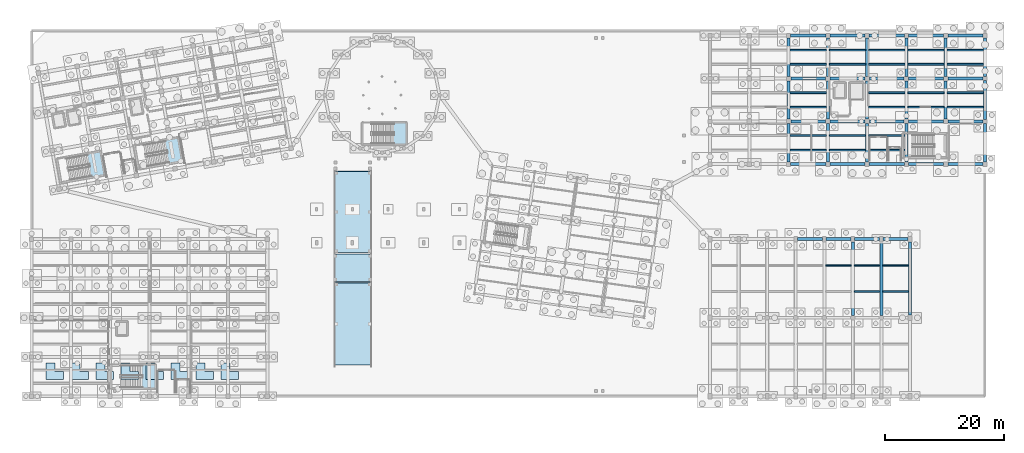
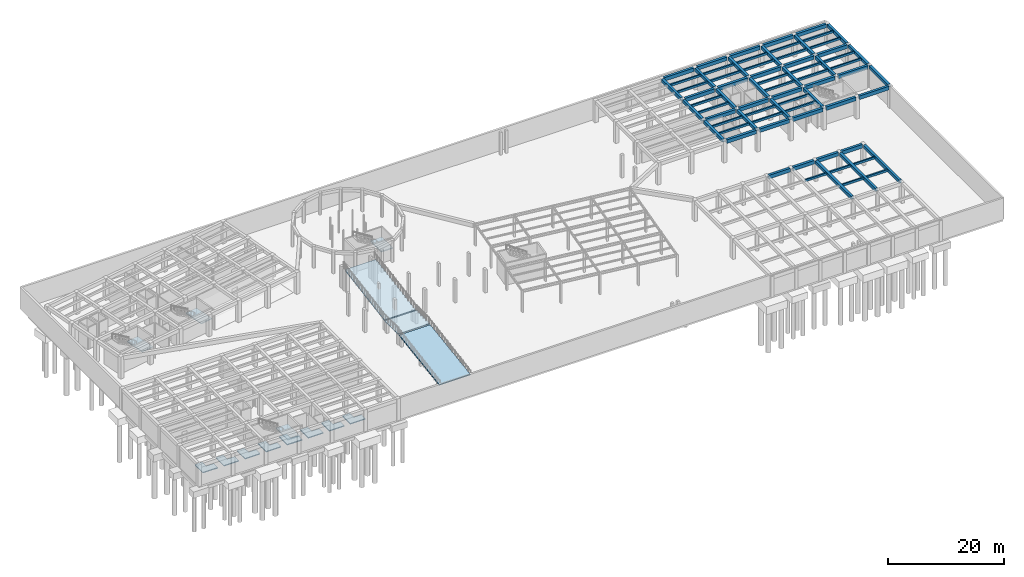
# One storey, part 20 of 34: 73 beams, 15 slabs, 4 elements without a shape of their own.
"""IFC4 building model written with IfcOpenShell, lengths in metres."""

from ifc_helpers import new_model, si_unit, direction, frame, origin, origin_2d, place, context, subcontext, project, spatial, polyline, rectangle, outline, extrude, material, layer, layer_set, material_profile, profile_set, type_object, element, aggregate, save


model = new_model("IFC4")

# Units and contexts
model_context = context("Model", 3, precision=1e-05, world=origin(), true_north=direction((0.0, 1.0)))
body_context = subcontext(model_context, "Body", "Model", "MODEL_VIEW")
ifc_project = project(units=[si_unit("LENGTHUNIT", "METRE"), si_unit("AREAUNIT", "SQUARE_METRE"), si_unit("VOLUMEUNIT", "CUBIC_METRE"), si_unit("PLANEANGLEUNIT", "RADIAN"), si_unit("MASSUNIT", "GRAM", prefix="KILO")], contexts=[model_context])

# Site, building, storey
site_placement = place(None, origin())
site = spatial("IfcSite", under=ifc_project, at=site_placement, CompositionType="ELEMENT")
building_placement = place(site_placement, origin())
building = spatial("IfcBuilding", under=site, at=building_placement, Name="Kharisveld Research Institute", CompositionType="ELEMENT")
storey_placement = place(building_placement, frame((0.0, 0.0, -4.800048828125)))
storey = spatial("IfcBuildingStorey", under=building, at=storey_placement, Name="B1", CompositionType="ELEMENT", Elevation=-4.800048828125)

# Beams
ifc_material_1 = material(Name="Concrete C40/50", Category="concrete")
ifc_material_profile_1 = material_profile(ifc_material_1, rectangle(XDim=0.5, YDim=0.64990234375, at=origin_2d()))
ifc_profile_set_1 = profile_set([ifc_material_profile_1], Name="Concrete C40/50")
beam_type_1 = type_object("IfcBeamType", Name="BM_RC_500x650", PredefinedType="BEAM", material=ifc_profile_set_1)
beam_1_placement = place(storey_placement, frame((127.800048828125, 39.550048828125, 4.26513671875), z_axis=(0.0, 1.0, 0.0), x_axis=(-1.0, 0.0, 0.0)))
element("IfcBeam", 1, at=beam_1_placement, inside=storey, type_object=beam_type_1, Name="BM:V2:B1:V2_0", PredefinedType="BEAM", context=body_context, shape_type="SweptSolid", body=[
    extrude(rectangle(XDim=0.5, YDim=0.64990234375, at=origin_2d()), origin(), (0.0, 0.0, 1.0), 6.474853515625),
])
beam_2_placement = place(storey_placement, frame((127.800048828125, 46.77490234375, 4.26513671875), z_axis=(0.0, 1.0, 0.0), x_axis=(-1.0, 0.0, 0.0)))
element("IfcBeam", 2, at=beam_2_placement, inside=storey, type_object=beam_type_1, Name="BM:V2:B1:V2_1", PredefinedType="BEAM", context=body_context, shape_type="SweptSolid", body=[
    extrude(rectangle(XDim=0.5, YDim=0.64990234375, at=origin_2d()), origin(), (0.0, 0.0, 1.0), 6.4501953125),
])
for number, where, z_axis, x_axis, name in (
    (3, (127.800048828125, 53.97509765625, 4.26513671875), (0.0, 1.0, 0.0), (-1.0, 0.0, 0.0), "BM:V2:B1:V2_2"),
    (4, (134.39990234375, 39.550048828125, 4.26513671875), (0.0, 1.0, 0.0), (-1.0, 0.0, 0.0), "BM:V2:B1:V3_0"),
):
    element("IfcBeam", number, at=place(storey_placement, frame(where, z_axis=z_axis, x_axis=x_axis)), inside=storey, type_object=beam_type_1, Name=name, PredefinedType="BEAM", context=body_context, shape_type="SweptSolid", body=[
        extrude(rectangle(XDim=0.5, YDim=0.64990234375, at=origin_2d()), origin(), (0.0, 0.0, 1.0), 6.474853515625),
    ])
beam_3_placement = place(storey_placement, frame((134.39990234375, 46.77490234375, 4.26513671875), z_axis=(0.0, 1.0, 0.0), x_axis=(-1.0, 0.0, 0.0)))
element("IfcBeam", 5, at=beam_3_placement, inside=storey, type_object=beam_type_1, Name="BM:V2:B1:V3_1", PredefinedType="BEAM", context=body_context, shape_type="SweptSolid", body=[
    extrude(rectangle(XDim=0.5, YDim=0.64990234375, at=origin_2d()), origin(), (0.0, 0.0, 1.0), 6.4501953125),
])
for number, where, z_axis, x_axis, name in (
    (6, (134.39990234375, 53.97509765625, 4.26513671875), (0.0, 1.0, 0.0), (-1.0, 0.0, 0.0), "BM:V2:B1:V3_2"),
    (7, (141.0, 39.550048828125, 4.26513671875), (0.0, 1.0, 0.0), (-1.0, 0.0, 0.0), "BM:V2:B1:V4_0"),
):
    element("IfcBeam", number, at=place(storey_placement, frame(where, z_axis=z_axis, x_axis=x_axis)), inside=storey, type_object=beam_type_1, Name=name, PredefinedType="BEAM", context=body_context, shape_type="SweptSolid", body=[
        extrude(rectangle(XDim=0.5, YDim=0.64990234375, at=origin_2d()), origin(), (0.0, 0.0, 1.0), 6.474853515625),
    ])
beam_4_placement = place(storey_placement, frame((141.0, 46.77490234375, 4.26513671875), z_axis=(0.0, 1.0, 0.0), x_axis=(-1.0, 0.0, 0.0)))
element("IfcBeam", 8, at=beam_4_placement, inside=storey, type_object=beam_type_1, Name="BM:V2:B1:V4_1", PredefinedType="BEAM", context=body_context, shape_type="SweptSolid", body=[
    extrude(rectangle(XDim=0.5, YDim=0.64990234375, at=origin_2d()), origin(), (0.0, 0.0, 1.0), 6.4501953125),
])
for number, where, z_axis, x_axis, name in (
    (9, (141.0, 53.97509765625, 4.26513671875), (0.0, 1.0, 0.0), (-1.0, 0.0, 0.0), "BM:V2:B1:V4_2"),
    (10, (147.60009765625, 39.550048828125, 4.26513671875), (0.0, 1.0, 0.0), (-1.0, 0.0, 0.0), "BM:V2:B1:V5_0"),
):
    element("IfcBeam", number, at=place(storey_placement, frame(where, z_axis=z_axis, x_axis=x_axis)), inside=storey, type_object=beam_type_1, Name=name, PredefinedType="BEAM", context=body_context, shape_type="SweptSolid", body=[
        extrude(rectangle(XDim=0.5, YDim=0.64990234375, at=origin_2d()), origin(), (0.0, 0.0, 1.0), 6.474853515625),
    ])
beam_5_placement = place(storey_placement, frame((147.60009765625, 46.77490234375, 4.26513671875), z_axis=(0.0, 1.0, 0.0), x_axis=(-1.0, 0.0, 0.0)))
element("IfcBeam", 11, at=beam_5_placement, inside=storey, type_object=beam_type_1, Name="BM:V2:B1:V5_1", PredefinedType="BEAM", context=body_context, shape_type="SweptSolid", body=[
    extrude(rectangle(XDim=0.5, YDim=0.64990234375, at=origin_2d()), origin(), (0.0, 0.0, 1.0), 6.4501953125),
])
beam_6_placement = place(storey_placement, frame((147.60009765625, 53.97509765625, 4.26513671875), z_axis=(0.0, 1.0, 0.0), x_axis=(-1.0, 0.0, 0.0)))
element("IfcBeam", 12, at=beam_6_placement, inside=storey, type_object=beam_type_1, Name="BM:V2:B1:V5_2", PredefinedType="BEAM", context=body_context, shape_type="SweptSolid", body=[
    extrude(rectangle(XDim=0.5, YDim=0.64990234375, at=origin_2d()), origin(), (0.0, 0.0, 1.0), 6.474853515625),
])
beam_7_placement = place(storey_placement, frame((154.199951171875, 46.77490234375, 4.26513671875), z_axis=(0.0, 1.0, 0.0), x_axis=(-1.0, 0.0, 0.0)))
element("IfcBeam", 13, at=beam_7_placement, inside=storey, type_object=beam_type_1, Name="BM:V2:B1:V6_1", PredefinedType="BEAM", context=body_context, shape_type="SweptSolid", body=[
    extrude(rectangle(XDim=0.5, YDim=0.64990234375, at=origin_2d()), origin(), (0.0, 0.0, 1.0), 6.4501953125),
])
beam_8_placement = place(storey_placement, frame((154.199951171875, 53.97509765625, 4.26513671875), z_axis=(0.0, 1.0, 0.0), x_axis=(-1.0, 0.0, 0.0)))
element("IfcBeam", 14, at=beam_8_placement, inside=storey, type_object=beam_type_1, Name="BM:V2:B1:V6_2", PredefinedType="BEAM", context=body_context, shape_type="SweptSolid", body=[
    extrude(rectangle(XDim=0.5, YDim=0.64990234375, at=origin_2d()), origin(), (0.0, 0.0, 1.0), 6.474853515625),
])
for number, where, z_axis, x_axis, name in (
    (15, (160.800048828125, 39.550048828125, 4.26513671875), (0.0, 1.0, 0.0), (-1.0, 0.0, 0.0), "BM:V2:B1:V7_0"),
    (16, (160.800048828125, 46.75, 4.26513671875), (0.0, 1.0, 0.0), (-1.0, 0.0, 0.0), "BM:V2:B1:V7_1"),
    (17, (160.800048828125, 53.949951171875, 4.26513671875), (0.0, 1.0, 0.0), (-1.0, 0.0, 0.0), "BM:V2:B1:V7_2"),
):
    element("IfcBeam", number, at=place(storey_placement, frame(where, z_axis=z_axis, x_axis=x_axis)), inside=storey, type_object=beam_type_1, Name=name, PredefinedType="BEAM", context=body_context, shape_type="SweptSolid", body=[
        extrude(rectangle(XDim=0.5, YDim=0.64990234375, at=origin_2d()), origin(), (0.0, 0.0, 1.0), 6.5),
    ])
for number, where, z_axis, x_axis, name in (
    (18, (138.60009765625, 13.77490234375, 4.054931640625), (0.0, 1.0, 0.0), (-1.0, 0.0, 0.0), "BM:V5:B1:V5_1"),
    (19, (143.39990234375, 13.77490234375, 4.054931640625), (0.0, 1.0, 0.0), (-1.0, 0.0, 0.0), "BM:V5:B1:V6_1"),
):
    element("IfcBeam", number, at=place(storey_placement, frame(where, z_axis=z_axis, x_axis=x_axis)), inside=storey, type_object=beam_type_1, Name=name, PredefinedType="BEAM", context=body_context, shape_type="SweptSolid", body=[
        extrude(rectangle(XDim=0.5, YDim=0.64990234375, at=origin_2d()), origin(), (0.0, 0.0, 1.0), 12.375),
    ])
beam_9_placement = place(storey_placement, frame((148.199951171875, 13.85009765625, 4.054931640625), z_axis=(0.0, 1.0, 0.0), x_axis=(-1.0, 0.0, 0.0)))
element("IfcBeam", 20, at=beam_9_placement, inside=storey, type_object=beam_type_1, Name="BM:V5:B1:V7_1", PredefinedType="BEAM", context=body_context, shape_type="SweptSolid", body=[
    extrude(rectangle(XDim=0.5, YDim=0.64990234375, at=origin_2d()), origin(), (0.0, 0.0, 1.0), 12.2998046875),
])
ifc_material_2 = material(Name="Concrete C40/50", Category="concrete")
ifc_material_profile_2 = material_profile(ifc_material_2, rectangle(XDim=0.5, YDim=0.75, at=origin_2d()))
ifc_profile_set_2 = profile_set([ifc_material_profile_2], Name="Concrete C40/50")
beam_type_2 = type_object("IfcBeamType", Name="BM_RC_500x750", PredefinedType="BEAM", material=ifc_profile_set_2)
beam_10_placement = place(storey_placement, frame((128.14990234375, 39.199951171875, 4.215087890625), z_axis=(1.0, 0.0, 0.0), x_axis=(0.0, 1.0, 0.0)))
element("IfcBeam", 21, at=beam_10_placement, inside=storey, type_object=beam_type_2, Name="BM:V2:B1:U2_0", PredefinedType="BEAM", context=body_context, shape_type="SweptSolid", body=[
    extrude(rectangle(XDim=0.5, YDim=0.75, at=origin_2d()), origin(), (0.0, 0.0, 1.0), 5.900146484375),
])
for number, where, z_axis, x_axis, name in (
    (22, (134.75, 39.199951171875, 4.215087890625), (1.0, 0.0, 0.0), (0.0, 1.0, 0.0), "BM:V2:B1:U3_0"),
    (23, (141.35009765625, 39.199951171875, 4.215087890625), (1.0, 0.0, 0.0), (0.0, 1.0, 0.0), "BM:V2:B1:U4_0"),
):
    element("IfcBeam", number, at=place(storey_placement, frame(where, z_axis=z_axis, x_axis=x_axis)), inside=storey, type_object=beam_type_2, Name=name, PredefinedType="BEAM", context=body_context, shape_type="SweptSolid", body=[
        extrude(rectangle(XDim=0.5, YDim=0.75, at=origin_2d()), origin(), (0.0, 0.0, 1.0), 5.89990234375),
    ])
beam_11_placement = place(storey_placement, frame((147.949951171875, 39.199951171875, 4.215087890625), z_axis=(1.0, 0.0, 0.0), x_axis=(0.0, 1.0, 0.0)))
element("IfcBeam", 24, at=beam_11_placement, inside=storey, type_object=beam_type_2, Name="BM:V2:B1:U5_0", PredefinedType="BEAM", context=body_context, shape_type="SweptSolid", body=[
    extrude(rectangle(XDim=0.5, YDim=0.75, at=origin_2d()), origin(), (0.0, 0.0, 1.0), 5.900146484375),
])
beam_12_placement = place(storey_placement, frame((154.550048828125, 39.199951171875, 4.215087890625), z_axis=(1.0, 0.0, 0.0), x_axis=(0.0, 1.0, 0.0)))
element("IfcBeam", 25, at=beam_12_placement, inside=storey, type_object=beam_type_2, Name="BM:V2:B1:U6_0", PredefinedType="BEAM", context=body_context, shape_type="SweptSolid", body=[
    extrude(rectangle(XDim=0.5, YDim=0.75, at=origin_2d()), origin(), (0.0, 0.0, 1.0), 5.89990234375),
])
beam_13_placement = place(storey_placement, frame((128.175048828125, 46.39990234375, 4.215087890625), z_axis=(1.0, 0.0, 0.0), x_axis=(0.0, 1.0, 0.0)))
element("IfcBeam", 26, at=beam_13_placement, inside=storey, type_object=beam_type_2, Name="BM:V2:B1:U2_1", PredefinedType="BEAM", context=body_context, shape_type="SweptSolid", body=[
    extrude(rectangle(XDim=0.5, YDim=0.75, at=origin_2d()), origin(), (0.0, 0.0, 1.0), 5.849853515625),
])
for number, where, z_axis, x_axis, name in (
    (27, (134.77490234375, 46.39990234375, 4.215087890625), (1.0, 0.0, 0.0), (0.0, 1.0, 0.0), "BM:V2:B1:U3_1"),
    (28, (141.375, 46.39990234375, 4.215087890625), (1.0, 0.0, 0.0), (0.0, 1.0, 0.0), "BM:V2:B1:U4_1"),
):
    element("IfcBeam", number, at=place(storey_placement, frame(where, z_axis=z_axis, x_axis=x_axis)), inside=storey, type_object=beam_type_2, Name=name, PredefinedType="BEAM", context=body_context, shape_type="SweptSolid", body=[
        extrude(rectangle(XDim=0.5, YDim=0.75, at=origin_2d()), origin(), (0.0, 0.0, 1.0), 5.85009765625),
    ])
beam_14_placement = place(storey_placement, frame((147.97509765625, 46.39990234375, 4.215087890625), z_axis=(1.0, 0.0, 0.0), x_axis=(0.0, 1.0, 0.0)))
element("IfcBeam", 29, at=beam_14_placement, inside=storey, type_object=beam_type_2, Name="BM:V2:B1:U5_1", PredefinedType="BEAM", context=body_context, shape_type="SweptSolid", body=[
    extrude(rectangle(XDim=0.5, YDim=0.75, at=origin_2d()), origin(), (0.0, 0.0, 1.0), 5.849853515625),
])
beam_15_placement = place(storey_placement, frame((154.574951171875, 46.39990234375, 4.215087890625), z_axis=(1.0, 0.0, 0.0), x_axis=(0.0, 1.0, 0.0)))
element("IfcBeam", 30, at=beam_15_placement, inside=storey, type_object=beam_type_2, Name="BM:V2:B1:U6_1", PredefinedType="BEAM", context=body_context, shape_type="SweptSolid", body=[
    extrude(rectangle(XDim=0.5, YDim=0.75, at=origin_2d()), origin(), (0.0, 0.0, 1.0), 5.875),
])
beam_16_placement = place(storey_placement, frame((128.175048828125, 53.60009765625, 4.215087890625), z_axis=(1.0, 0.0, 0.0), x_axis=(0.0, 1.0, 0.0)))
element("IfcBeam", 31, at=beam_16_placement, inside=storey, type_object=beam_type_2, Name="BM:V2:B1:U2_2", PredefinedType="BEAM", context=body_context, shape_type="SweptSolid", body=[
    extrude(rectangle(XDim=0.5, YDim=0.75, at=origin_2d()), origin(), (0.0, 0.0, 1.0), 5.849853515625),
])
for number, where, z_axis, x_axis, name in (
    (32, (134.77490234375, 53.60009765625, 4.215087890625), (1.0, 0.0, 0.0), (0.0, 1.0, 0.0), "BM:V2:B1:U3_2"),
    (33, (141.375, 53.60009765625, 4.215087890625), (1.0, 0.0, 0.0), (0.0, 1.0, 0.0), "BM:V2:B1:U4_2"),
):
    element("IfcBeam", number, at=place(storey_placement, frame(where, z_axis=z_axis, x_axis=x_axis)), inside=storey, type_object=beam_type_2, Name=name, PredefinedType="BEAM", context=body_context, shape_type="SweptSolid", body=[
        extrude(rectangle(XDim=0.5, YDim=0.75, at=origin_2d()), origin(), (0.0, 0.0, 1.0), 5.85009765625),
    ])
beam_17_placement = place(storey_placement, frame((147.97509765625, 53.60009765625, 4.215087890625), z_axis=(1.0, 0.0, 0.0), x_axis=(0.0, 1.0, 0.0)))
element("IfcBeam", 34, at=beam_17_placement, inside=storey, type_object=beam_type_2, Name="BM:V2:B1:U5_2", PredefinedType="BEAM", context=body_context, shape_type="SweptSolid", body=[
    extrude(rectangle(XDim=0.5, YDim=0.75, at=origin_2d()), origin(), (0.0, 0.0, 1.0), 5.849853515625),
])
beam_18_placement = place(storey_placement, frame((154.574951171875, 53.60009765625, 4.215087890625), z_axis=(1.0, 0.0, 0.0), x_axis=(0.0, 1.0, 0.0)))
element("IfcBeam", 35, at=beam_18_placement, inside=storey, type_object=beam_type_2, Name="BM:V2:B1:U6_2", PredefinedType="BEAM", context=body_context, shape_type="SweptSolid", body=[
    extrude(rectangle(XDim=0.5, YDim=0.75, at=origin_2d()), origin(), (0.0, 0.0, 1.0), 5.875),
])
beam_19_placement = place(storey_placement, frame((128.14990234375, 60.800048828125, 4.215087890625), z_axis=(1.0, 0.0, 0.0), x_axis=(0.0, 1.0, 0.0)))
element("IfcBeam", 36, at=beam_19_placement, inside=storey, type_object=beam_type_2, Name="BM:V2:B1:U2_3", PredefinedType="BEAM", context=body_context, shape_type="SweptSolid", body=[
    extrude(rectangle(XDim=0.5, YDim=0.75, at=origin_2d()), origin(), (0.0, 0.0, 1.0), 5.900146484375),
])
for number, where, z_axis, x_axis, name in (
    (37, (134.75, 60.800048828125, 4.215087890625), (1.0, 0.0, 0.0), (0.0, 1.0, 0.0), "BM:V2:B1:U3_3"),
    (38, (141.35009765625, 60.800048828125, 4.215087890625), (1.0, 0.0, 0.0), (0.0, 1.0, 0.0), "BM:V2:B1:U4_3"),
):
    element("IfcBeam", number, at=place(storey_placement, frame(where, z_axis=z_axis, x_axis=x_axis)), inside=storey, type_object=beam_type_2, Name=name, PredefinedType="BEAM", context=body_context, shape_type="SweptSolid", body=[
        extrude(rectangle(XDim=0.5, YDim=0.75, at=origin_2d()), origin(), (0.0, 0.0, 1.0), 5.89990234375),
    ])
beam_20_placement = place(storey_placement, frame((147.949951171875, 60.800048828125, 4.215087890625), z_axis=(1.0, 0.0, 0.0), x_axis=(0.0, 1.0, 0.0)))
element("IfcBeam", 39, at=beam_20_placement, inside=storey, type_object=beam_type_2, Name="BM:V2:B1:U5_3", PredefinedType="BEAM", context=body_context, shape_type="SweptSolid", body=[
    extrude(rectangle(XDim=0.5, YDim=0.75, at=origin_2d()), origin(), (0.0, 0.0, 1.0), 5.900146484375),
])
beam_21_placement = place(storey_placement, frame((154.550048828125, 60.800048828125, 4.215087890625), z_axis=(1.0, 0.0, 0.0), x_axis=(0.0, 1.0, 0.0)))
element("IfcBeam", 40, at=beam_21_placement, inside=storey, type_object=beam_type_2, Name="BM:V2:B1:U6_3", PredefinedType="BEAM", context=body_context, shape_type="SweptSolid", body=[
    extrude(rectangle(XDim=0.5, YDim=0.75, at=origin_2d()), origin(), (0.0, 0.0, 1.0), 5.89990234375),
])
for number, where, z_axis, x_axis, name in (
    (41, (129.300048828125, 26.60009765625, 4.005126953125), (1.0, 0.0, 0.0), (0.0, 1.0, 0.0), "BM:V5:B1:U3_2"),
    (42, (134.10009765625, 26.60009765625, 4.005126953125), (1.0, 0.0, 0.0), (0.0, 1.0, 0.0), "BM:V5:B1:U4_2"),
):
    element("IfcBeam", number, at=place(storey_placement, frame(where, z_axis=z_axis, x_axis=x_axis)), inside=storey, type_object=beam_type_2, Name=name, PredefinedType="BEAM", context=body_context, shape_type="SweptSolid", body=[
        extrude(rectangle(XDim=0.5, YDim=0.75, at=origin_2d()), origin(), (0.0, 0.0, 1.0), 4.199951171875),
    ])
beam_22_placement = place(storey_placement, frame((138.89990234375, 26.60009765625, 4.005126953125), z_axis=(1.0, 0.0, 0.0), x_axis=(0.0, 1.0, 0.0)))
element("IfcBeam", 43, at=beam_22_placement, inside=storey, type_object=beam_type_2, Name="BM:V5:B1:U5_2", PredefinedType="BEAM", context=body_context, shape_type="SweptSolid", body=[
    extrude(rectangle(XDim=0.5, YDim=0.75, at=origin_2d()), origin(), (0.0, 0.0, 1.0), 4.2001953125),
])
beam_23_placement = place(storey_placement, frame((143.699951171875, 26.60009765625, 4.005126953125), z_axis=(1.0, 0.0, 0.0), x_axis=(0.0, 1.0, 0.0)))
element("IfcBeam", 44, at=beam_23_placement, inside=storey, type_object=beam_type_2, Name="BM:V5:B1:U6_2", PredefinedType="BEAM", context=body_context, shape_type="SweptSolid", body=[
    extrude(rectangle(XDim=0.5, YDim=0.75, at=origin_2d()), origin(), (0.0, 0.0, 1.0), 4.199951171875),
])
ifc_material_3 = material(Name="Concrete C40/50", Category="concrete")
ifc_material_profile_3 = material_profile(ifc_material_3, rectangle(XDim=0.280029296875, YDim=0.449951171875, at=origin_2d()))
ifc_profile_set_3 = profile_set([ifc_material_profile_3], Name="Concrete C40/50")
beam_type_3 = type_object("IfcBeamType", Name="WB_RC_280x450", PredefinedType="JOIST", material=ifc_profile_set_3)
for number, where, z_axis, x_axis, name in (
    (45, (128.050048828125, 41.60009765625, 4.364990234375), (1.0, 0.0, 0.0), (0.0, 1.0, 0.0), "BM:V2:B1:J_2_0_R1"),
    (46, (128.050048828125, 44.0, 4.364990234375), (1.0, 0.0, 0.0), (0.0, 1.0, 0.0), "BM:V2:B1:J_2_0_R2"),
    (47, (128.050048828125, 48.800048828125, 4.364990234375), (1.0, 0.0, 0.0), (0.0, 1.0, 0.0), "BM:V2:B1:J_2_1_R1"),
    (48, (128.050048828125, 51.199951171875, 4.364990234375), (1.0, 0.0, 0.0), (0.0, 1.0, 0.0), "BM:V2:B1:J_2_1_R2"),
    (49, (128.050048828125, 56.0, 4.364990234375), (1.0, 0.0, 0.0), (0.0, 1.0, 0.0), "BM:V2:B1:J_2_2_R1"),
    (50, (128.050048828125, 58.39990234375, 4.364990234375), (1.0, 0.0, 0.0), (0.0, 1.0, 0.0), "BM:V2:B1:J_2_2_R2"),
):
    element("IfcBeam", number, at=place(storey_placement, frame(where, z_axis=z_axis, x_axis=x_axis)), inside=storey, type_object=beam_type_3, Name=name, PredefinedType="JOIST", context=body_context, shape_type="SweptSolid", body=[
        extrude(rectangle(XDim=0.280029296875, YDim=0.449951171875, at=origin_2d()), origin(), (0.0, 0.0, 1.0), 6.099853515625),
    ])
for number, where, z_axis, x_axis, name in (
    (51, (134.64990234375, 41.60009765625, 4.364990234375), (1.0, 0.0, 0.0), (0.0, 1.0, 0.0), "BM:V2:B1:J_3_0_R1"),
    (52, (134.64990234375, 44.0, 4.364990234375), (1.0, 0.0, 0.0), (0.0, 1.0, 0.0), "BM:V2:B1:J_3_0_R2"),
    (53, (134.64990234375, 56.0, 4.364990234375), (1.0, 0.0, 0.0), (0.0, 1.0, 0.0), "BM:V2:B1:J_3_2_R1"),
    (54, (134.64990234375, 58.39990234375, 4.364990234375), (1.0, 0.0, 0.0), (0.0, 1.0, 0.0), "BM:V2:B1:J_3_2_R2"),
    (55, (141.25, 41.60009765625, 4.364990234375), (1.0, 0.0, 0.0), (0.0, 1.0, 0.0), "BM:V2:B1:J_4_0_R1"),
    (56, (141.25, 44.0, 4.364990234375), (1.0, 0.0, 0.0), (0.0, 1.0, 0.0), "BM:V2:B1:J_4_0_R2"),
    (57, (141.25, 48.800048828125, 4.364990234375), (1.0, 0.0, 0.0), (0.0, 1.0, 0.0), "BM:V2:B1:J_4_1_R1"),
    (58, (141.25, 51.199951171875, 4.364990234375), (1.0, 0.0, 0.0), (0.0, 1.0, 0.0), "BM:V2:B1:J_4_1_R2"),
    (59, (141.25, 56.0, 4.364990234375), (1.0, 0.0, 0.0), (0.0, 1.0, 0.0), "BM:V2:B1:J_4_2_R1"),
    (60, (141.25, 58.39990234375, 4.364990234375), (1.0, 0.0, 0.0), (0.0, 1.0, 0.0), "BM:V2:B1:J_4_2_R2"),
):
    element("IfcBeam", number, at=place(storey_placement, frame(where, z_axis=z_axis, x_axis=x_axis)), inside=storey, type_object=beam_type_3, Name=name, PredefinedType="JOIST", context=body_context, shape_type="SweptSolid", body=[
        extrude(rectangle(XDim=0.280029296875, YDim=0.449951171875, at=origin_2d()), origin(), (0.0, 0.0, 1.0), 6.10009765625),
    ])
for number, where, z_axis, x_axis, name in (
    (61, (147.85009765625, 48.800048828125, 4.364990234375), (1.0, 0.0, 0.0), (0.0, 1.0, 0.0), "BM:V2:B1:J_5_1_R1"),
    (62, (147.85009765625, 51.199951171875, 4.364990234375), (1.0, 0.0, 0.0), (0.0, 1.0, 0.0), "BM:V2:B1:J_5_1_R2"),
    (63, (147.85009765625, 56.0, 4.364990234375), (1.0, 0.0, 0.0), (0.0, 1.0, 0.0), "BM:V2:B1:J_5_2_R1"),
    (64, (147.85009765625, 58.39990234375, 4.364990234375), (1.0, 0.0, 0.0), (0.0, 1.0, 0.0), "BM:V2:B1:J_5_2_R2"),
):
    element("IfcBeam", number, at=place(storey_placement, frame(where, z_axis=z_axis, x_axis=x_axis)), inside=storey, type_object=beam_type_3, Name=name, PredefinedType="JOIST", context=body_context, shape_type="SweptSolid", body=[
        extrude(rectangle(XDim=0.280029296875, YDim=0.449951171875, at=origin_2d()), origin(), (0.0, 0.0, 1.0), 6.099853515625),
    ])
for number, where, z_axis, x_axis, name in (
    (65, (154.449951171875, 48.800048828125, 4.364990234375), (1.0, 0.0, 0.0), (0.0, 1.0, 0.0), "BM:V2:B1:J_6_1_R1"),
    (66, (154.449951171875, 51.199951171875, 4.364990234375), (1.0, 0.0, 0.0), (0.0, 1.0, 0.0), "BM:V2:B1:J_6_1_R2"),
    (67, (154.449951171875, 56.0, 4.364990234375), (1.0, 0.0, 0.0), (0.0, 1.0, 0.0), "BM:V2:B1:J_6_2_R1"),
    (68, (154.449951171875, 58.39990234375, 4.364990234375), (1.0, 0.0, 0.0), (0.0, 1.0, 0.0), "BM:V2:B1:J_6_2_R2"),
):
    element("IfcBeam", number, at=place(storey_placement, frame(where, z_axis=z_axis, x_axis=x_axis)), inside=storey, type_object=beam_type_3, Name=name, PredefinedType="JOIST", context=body_context, shape_type="SweptSolid", body=[
        extrude(rectangle(XDim=0.280029296875, YDim=0.449951171875, at=origin_2d()), origin(), (0.0, 0.0, 1.0), 6.10009765625),
    ])
beam_24_placement = place(storey_placement, frame((134.050048828125, 22.199951171875, 4.155029296875), z_axis=(1.0, 0.0, 0.0), x_axis=(0.0, 1.0, 0.0)))
element("IfcBeam", 69, at=beam_24_placement, inside=storey, type_object=beam_type_3, Name="BM:V5:B1:J_4_1_R2", PredefinedType="JOIST", context=body_context, shape_type="SweptSolid", body=[
    extrude(rectangle(XDim=0.280029296875, YDim=0.449951171875, at=origin_2d()), origin(), (0.0, 0.0, 1.0), 4.300048828125),
])
for number, where, z_axis, x_axis, name in (
    (70, (138.85009765625, 17.800048828125, 4.155029296875), (1.0, 0.0, 0.0), (0.0, 1.0, 0.0), "BM:V5:B1:J_5_1_R1"),
    (71, (138.85009765625, 22.199951171875, 4.155029296875), (1.0, 0.0, 0.0), (0.0, 1.0, 0.0), "BM:V5:B1:J_5_1_R2"),
):
    element("IfcBeam", number, at=place(storey_placement, frame(where, z_axis=z_axis, x_axis=x_axis)), inside=storey, type_object=beam_type_3, Name=name, PredefinedType="JOIST", context=body_context, shape_type="SweptSolid", body=[
        extrude(rectangle(XDim=0.280029296875, YDim=0.449951171875, at=origin_2d()), origin(), (0.0, 0.0, 1.0), 4.2998046875),
    ])
for number, where, z_axis, x_axis, name in (
    (72, (143.64990234375, 17.800048828125, 4.155029296875), (1.0, 0.0, 0.0), (0.0, 1.0, 0.0), "BM:V5:B1:J_6_1_R1"),
    (73, (143.64990234375, 22.199951171875, 4.155029296875), (1.0, 0.0, 0.0), (0.0, 1.0, 0.0), "BM:V5:B1:J_6_1_R2"),
):
    element("IfcBeam", number, at=place(storey_placement, frame(where, z_axis=z_axis, x_axis=x_axis)), inside=storey, type_object=beam_type_3, Name=name, PredefinedType="JOIST", context=body_context, shape_type="SweptSolid", body=[
        extrude(rectangle(XDim=0.280029296875, YDim=0.449951171875, at=origin_2d()), origin(), (0.0, 0.0, 1.0), 4.300048828125),
    ])

# Slabs
ifc_material_4 = material(Name="Concrete C40/50", Category="concrete")
ifc_layer_1 = layer(ifc_material_4, 0.179931640625)
ifc_layer_set_1 = layer_set([ifc_layer_1], Name="SL_FLR_180")
slab_type_1 = type_object("IfcSlabType", Name="SL_FLR_180", PredefinedType="FLOOR", material=ifc_layer_set_1)
slab_1_placement = place(storey_placement, origin())
element("IfcSlab", 74, at=slab_1_placement, inside=storey, type_object=slab_type_1, Name="SLAB:B1:PLINTH_1", PredefinedType="FLOOR", context=body_context, shape_type="SweptSolid", body=[
    extrude(outline(polyline([(3.0, 3.0), (6.0, 3.0), (6.0, 4.39990234375), (4.5, 4.39990234375), (4.5, 5.800048828125), (3.0, 5.800048828125), (3.0, 3.0)])), origin(), (0.0, 0.0, 1.0), 0.179931640625),
])
slab_2_placement = place(storey_placement, origin())
element("IfcSlab", 75, at=slab_2_placement, inside=storey, type_object=slab_type_1, Name="SLAB:B1:PLINTH_2", PredefinedType="FLOOR", context=body_context, shape_type="SweptSolid", body=[
    extrude(outline(polyline([(7.199951171875, 3.0), (10.199951171875, 3.0), (10.199951171875, 4.39990234375), (8.699951171875, 4.39990234375), (8.699951171875, 5.800048828125), (7.199951171875, 5.800048828125), (7.199951171875, 3.0)])), origin(), (0.0, 0.0, 1.0), 0.179931640625),
])
slab_3_placement = place(storey_placement, origin())
element("IfcSlab", 76, at=slab_3_placement, inside=storey, type_object=slab_type_1, Name="SLAB:B1:PLINTH_3", PredefinedType="FLOOR", context=body_context, shape_type="SweptSolid", body=[
    extrude(outline(polyline([(11.39990234375, 3.0), (14.39990234375, 3.0), (14.39990234375, 4.39990234375), (12.89990234375, 4.39990234375), (12.89990234375, 5.800048828125), (11.39990234375, 5.800048828125), (11.39990234375, 3.0)])), origin(), (0.0, 0.0, 1.0), 0.179931640625),
])
slab_4_placement = place(storey_placement, origin())
element("IfcSlab", 77, at=slab_4_placement, inside=storey, type_object=slab_type_1, Name="SLAB:B1:PLINTH_4", PredefinedType="FLOOR", context=body_context, shape_type="SweptSolid", body=[
    extrude(outline(polyline([(15.60009765625, 3.0), (18.60009765625, 3.0), (18.60009765625, 4.39990234375), (17.10009765625, 4.39990234375), (17.10009765625, 5.800048828125), (15.60009765625, 5.800048828125), (15.60009765625, 3.0)])), origin(), (0.0, 0.0, 1.0), 0.179931640625),
])
slab_5_placement = place(storey_placement, origin())
element("IfcSlab", 78, at=slab_5_placement, inside=storey, type_object=slab_type_1, Name="SLAB:B1:PLINTH_5", PredefinedType="FLOOR", context=body_context, shape_type="SweptSolid", body=[
    extrude(outline(polyline([(19.800048828125, 3.0), (22.800048828125, 3.0), (22.800048828125, 4.39990234375), (21.300048828125, 4.39990234375), (21.300048828125, 5.800048828125), (19.800048828125, 5.800048828125), (19.800048828125, 3.0)])), origin(), (0.0, 0.0, 1.0), 0.179931640625),
])
slab_6_placement = place(storey_placement, origin())
element("IfcSlab", 79, at=slab_6_placement, inside=storey, type_object=slab_type_1, Name="SLAB:B1:PLINTH_6", PredefinedType="FLOOR", context=body_context, shape_type="SweptSolid", body=[
    extrude(outline(polyline([(24.0, 3.0), (27.0, 3.0), (27.0, 4.39990234375), (25.5, 4.39990234375), (25.5, 5.800048828125), (24.0, 5.800048828125), (24.0, 3.0)])), origin(), (0.0, 0.0, 1.0), 0.179931640625),
])
slab_7_placement = place(storey_placement, origin())
element("IfcSlab", 80, at=slab_7_placement, inside=storey, type_object=slab_type_1, Name="SLAB:B1:PLINTH_7", PredefinedType="FLOOR", context=body_context, shape_type="SweptSolid", body=[
    extrude(outline(polyline([(28.199951171875, 3.0), (31.199951171875, 3.0), (31.199951171875, 4.39990234375), (29.699951171875, 4.39990234375), (29.699951171875, 5.800048828125), (28.199951171875, 5.800048828125), (28.199951171875, 3.0)])), origin(), (0.0, 0.0, 1.0), 0.179931640625),
])
slab_8_placement = place(storey_placement, origin())
element("IfcSlab", 81, at=slab_8_placement, inside=storey, type_object=slab_type_1, Name="SLAB:B1:PLINTH_8", PredefinedType="FLOOR", context=body_context, shape_type="SweptSolid", body=[
    extrude(outline(polyline([(32.39990234375, 3.0), (35.39990234375, 3.0), (35.39990234375, 4.39990234375), (33.89990234375, 4.39990234375), (33.89990234375, 5.800048828125), (32.39990234375, 5.800048828125), (32.39990234375, 3.0)])), origin(), (0.0, 0.0, 1.0), 0.179931640625),
])
ifc_material_5 = material(Name="Concrete C40/50", Category="concrete")
ifc_layer_2 = layer(ifc_material_5, 0.179931640625)
ifc_layer_set_2 = layer_set([ifc_layer_2], Name="SL_LND_180")
slab_type_2 = type_object("IfcSlabType", Name="SL_LND_180", PredefinedType="LANDING", material=ifc_layer_set_2)
slab_9_placement = place(storey_placement, frame((0.0, 0.0, 2.219970703125)))
element("IfcSlab", 82, at=slab_9_placement, inside=storey, type_object=slab_type_2, Name="SLAB:B1:CAR_RAMP_LANDING", PredefinedType="LANDING", context=body_context, shape_type="SweptSolid", body=[
    extrude(outline(polyline([(51.39990234375, 19.5), (57.800048828125, 19.5), (57.800048828125, 24.10009765625), (51.39990234375, 24.10009765625), (51.39990234375, 19.5)])), origin(), (0.0, 0.0, 1.0), 0.18017578125),
])

# Stair, slab
ifc_material_6 = material(Name="Concrete C40/50", Category="concrete")
stair_type_1 = type_object("IfcStairType", Name="ST_EXIT_170", PredefinedType="TWO_STRAIGHT_RUN_STAIR", material=ifc_material_6)
stair_1_placement = place(storey_placement, origin())
stair_1 = element("IfcStair", 83, at=stair_1_placement, inside=storey, type_object=stair_type_1, Name="STR:ST1:B1", PredefinedType="TWO_STRAIGHT_RUN_STAIR")
slab_10_placement = place(storey_placement, frame((0.0, 0.0, 2.219970703125)))
slab_10 = element("IfcSlab", 84, at=slab_10_placement, type_object=slab_type_2, Name="ST-01 landing 1", PredefinedType="LANDING", context=body_context, shape_type="SweptSolid", body=[
    extrude(outline(polyline([(10.54150390625, 36.936767578125), (12.909912109375, 37.3544921875), (12.194580078125, 41.411865234375), (9.826171875, 40.994140625), (10.54150390625, 36.936767578125)])), origin(), (0.0, 0.0, 1.0), 0.18017578125),
])
aggregate(stair_1, [slab_10])

stair_2_placement = place(storey_placement, origin())
stair_2 = element("IfcStair", 85, at=stair_2_placement, inside=storey, type_object=stair_type_1, Name="STR:ST2:B1", PredefinedType="TWO_STRAIGHT_RUN_STAIR")
slab_11_placement = place(storey_placement, frame((0.0, 0.0, 2.219970703125)))
slab_11 = element("IfcSlab", 86, at=slab_11_placement, type_object=slab_type_2, Name="ST-02 landing 1", PredefinedType="LANDING", context=body_context, shape_type="SweptSolid", body=[
    extrude(outline(polyline([(23.59033203125, 39.237548828125), (25.958740234375, 39.6552734375), (25.243408203125, 43.712646484375), (22.874755859375, 43.295166015625), (23.59033203125, 39.237548828125)])), origin(), (0.0, 0.0, 1.0), 0.18017578125),
])
aggregate(stair_2, [slab_11])

stair_3_placement = place(storey_placement, origin())
stair_3 = element("IfcStair", 87, at=stair_3_placement, inside=storey, type_object=stair_type_1, Name="STR:ST4:B1", PredefinedType="TWO_STRAIGHT_RUN_STAIR")
slab_12_placement = place(storey_placement, frame((0.0, 0.0, 2.219970703125)))
slab_12 = element("IfcSlab", 88, at=slab_12_placement, type_object=slab_type_2, Name="ST-04 landing 1", PredefinedType="LANDING", context=body_context, shape_type="SweptSolid", body=[
    extrude(outline(polyline([(19.044921875, 1.469970703125), (21.449951171875, 1.469970703125), (21.449951171875, 5.590087890625), (19.044921875, 5.590087890625), (19.044921875, 1.469970703125)])), origin(), (0.0, 0.0, 1.0), 0.18017578125),
])
aggregate(stair_3, [slab_12])

ifc_material_7 = material(Name="Concrete C40/50", Category="concrete")
stair_type_2 = type_object("IfcStairType", Name="ST_FEAT_154", PredefinedType="TWO_STRAIGHT_RUN_STAIR", material=ifc_material_7)
stair_4_placement = place(storey_placement, origin())
stair_4 = element("IfcStair", 89, at=stair_4_placement, inside=storey, type_object=stair_type_2, Name="STR:ST7:B1", PredefinedType="TWO_STRAIGHT_RUN_STAIR")
slab_13_placement = place(storey_placement, frame((0.0, 0.0, 2.219970703125)))
slab_13 = element("IfcSlab", 90, at=slab_13_placement, type_object=slab_type_2, Name="ST-07 landing 1", PredefinedType="LANDING", context=body_context, shape_type="SweptSolid", body=[
    extrude(outline(polyline([(61.31005859375, 42.419921875), (63.64990234375, 42.419921875), (63.64990234375, 46.219970703125), (61.31005859375, 46.219970703125), (61.31005859375, 42.419921875)])), origin(), (0.0, 0.0, 1.0), 0.18017578125),
])
aggregate(stair_4, [slab_13])

# Slabs
ifc_material_8 = material(Name="Concrete C40/50", Category="concrete")
ifc_layer_3 = layer(ifc_material_8, 0.239990234375)
ifc_layer_set_3 = layer_set([ifc_layer_3], Name="SL_RAMP_240 Concrete C40/50")
slab_type_3 = type_object("IfcSlabType", Name="SL_RAMP_240", PredefinedType="FLOOR", material=ifc_layer_set_3)
slab_14_placement = place(storey_placement, frame((51.5, 5.449951171875, 0.260009765625), z_axis=(0.0, -0.146239131233, 0.989249269141), x_axis=(1.0, 0.0, 0.0)))
element("IfcSlab", 91, at=slab_14_placement, inside=storey, type_object=slab_type_3, Name="SLAB:B1:CAR_RAMP_LOW Vehicular Ramp Slab", PredefinedType="FLOOR", context=body_context, shape_type="SweptSolid", body=[
    extrude(outline(polyline([(0.0, 0.0), (6.199951171875, 0.0), (6.199951171875, 13.95002175751565), (0.0, 13.95002175751565), (0.0, 0.0)])), origin(), (0.0, 0.0, -1.0), 0.239990234375),
])
slab_15_placement = place(storey_placement, frame((51.5, 24.35009765625, 2.380126953125), z_axis=(0.0, -0.16754922178, 0.985863711819), x_axis=(1.0, 0.0, 0.0)))
element("IfcSlab", 92, at=slab_15_placement, inside=storey, type_object=slab_type_3, Name="SLAB:B1:CAR_RAMP_HIGH Vehicular Ramp Slab", PredefinedType="FLOOR", context=body_context, shape_type="SweptSolid", body=[
    extrude(outline(polyline([(0.0, 0.0), (6.199951171875, 0.0), (6.199951171875, 13.845628133089908), (0.0, 13.845628133089908), (0.0, 0.0)])), origin(), (0.0, 0.0, -1.0), 0.239990234375),
])

save(model, "model.ifc")
